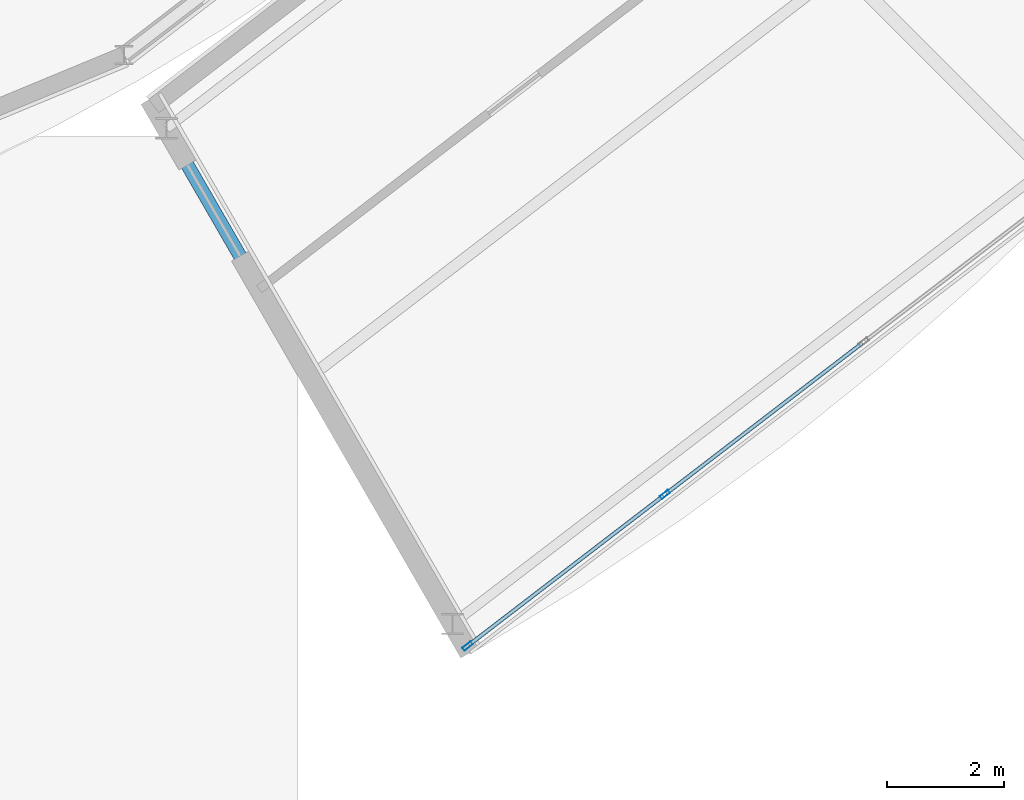
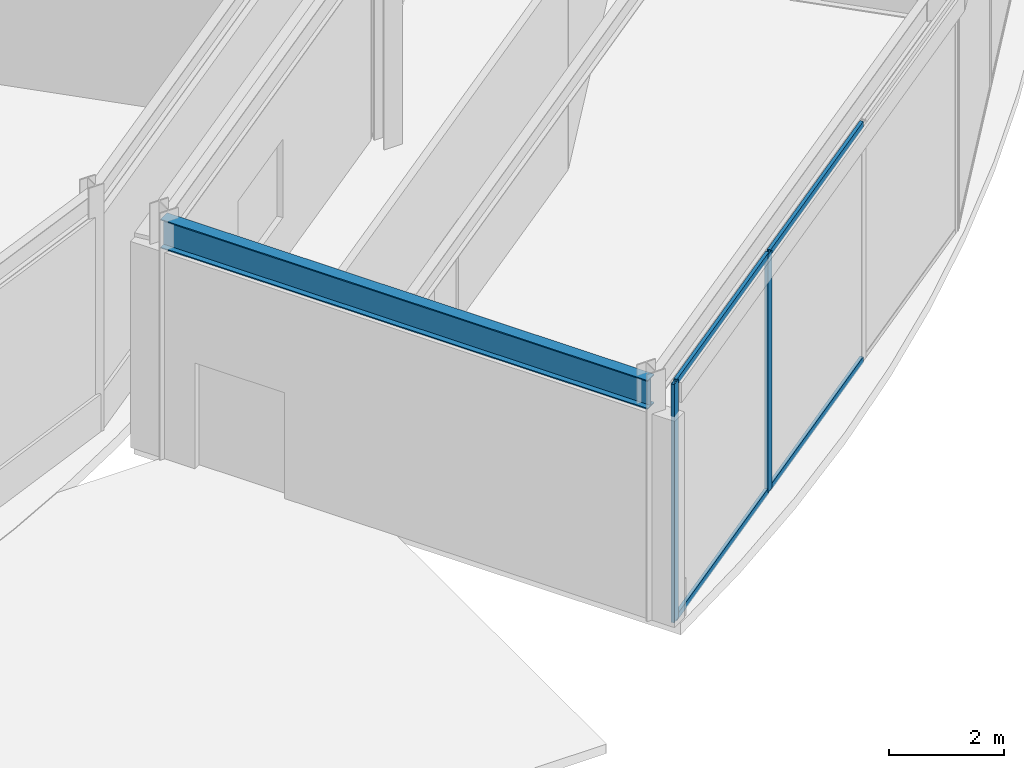
# One storey, part 45 of 168: 6 members, 1 beam, 1 element without a shape of its own.
"""IFC4 building model written with IfcOpenShell, lengths in metres."""

from ifc_helpers import new_model, si_unit, direction, frame, origin, origin_2d, place, context, subcontext, project, spatial, hollow_rectangle, i_section, extrude, material, material_profile, profile_set, type_object, element, aggregate, save


model = new_model("IFC4")

# Units and contexts
model_context = context("Model", 3, precision=1e-05, world=origin(), true_north=direction((0.0, 1.0)))
body_context = subcontext(model_context, "Body", "Model", "MODEL_VIEW")
ifc_project = project(units=[si_unit("LENGTHUNIT", "METRE"), si_unit("AREAUNIT", "SQUARE_METRE"), si_unit("VOLUMEUNIT", "CUBIC_METRE"), si_unit("PLANEANGLEUNIT", "RADIAN"), si_unit("MASSUNIT", "GRAM", prefix="KILO")], contexts=[model_context])

# Site, building, storey
site_placement = place(None, origin())
site = spatial("IfcSite", under=ifc_project, at=site_placement, CompositionType="ELEMENT")
building_placement = place(site_placement, origin())
building = spatial("IfcBuilding", under=site, at=building_placement, Name="Almandine Court Research Institute", CompositionType="ELEMENT")
storey_placement = place(building_placement, origin())
storey = spatial("IfcBuildingStorey", under=building, at=storey_placement, Name="L00", CompositionType="ELEMENT", Elevation=0.0)

# Beam
ifc_material_1 = material(Name="Steel ASTM A992 Grade 50", Category="steel")
ifc_material_profile_1 = material_profile(ifc_material_1, i_section(OverallWidth=0.22998046875, OverallDepth=0.616943359375, WebThickness=0.012939453125, FlangeThickness=0.02197265625, at=origin_2d()), Name="W610x140")
ifc_profile_set_1 = profile_set([ifc_material_profile_1], Name="Steel ASTM A992 Grade 50")
beam_type = type_object("IfcBeamType", Name="Beam-G-02", PredefinedType="BEAM", material=ifc_profile_set_1)
beam_placement = place(storey_placement, frame((106.550048828125, 22.137939453125, 4.715087890625), z_axis=(0.49999201416, -0.866030014362, 0.0), x_axis=(0.866030014362, 0.49999201416, 0.0)))
element("IfcBeam", 1, at=beam_placement, inside=storey, type_object=beam_type, Name="L00 Drum Radial Girder 20", PredefinedType="BEAM", context=body_context, shape_type="SweptSolid", body=[
    extrude(i_section(OverallWidth=0.22998046875, OverallDepth=0.616943359375, WebThickness=0.012939453125, FlangeThickness=0.02197265625, at=origin_2d()), origin(), (0.0, 0.0, 1.0), 9.800048828125),
])

# Curtain wall, members
ifc_material_2 = material(Name="Unitised Curtain Wall Framing and Solar Glazing", Category="glass")
curtain_wall_type = type_object("IfcCurtainWallType", Name="CW-CWJ-17", PredefinedType="USERDEFINED", material=ifc_material_2)
curtain_wall_placement = place(storey_placement, origin())
curtain_wall = element("IfcCurtainWall", 2, at=curtain_wall_placement, inside=storey, type_object=curtain_wall_type, Name="L00 Stacked-Ring Drum Outer Solar Jali Screen 20", ObjectType="SOLAR JALI SCREEN", PredefinedType="USERDEFINED")
ifc_material_3 = material(Name="Anodised Aluminium AW-6063-T6", Category="aluminium")
ifc_material_profile_2 = material_profile(ifc_material_3, hollow_rectangle(XDim=0.06494140625, YDim=0.179931640625, WallThickness=0.00390625, at=origin_2d()), Name="ALU RHS 65x180x4")
ifc_profile_set_2 = profile_set([ifc_material_profile_2], Name="Anodised Aluminium AW-6063-T6")
member_type_1 = type_object("IfcMemberType", Name="CWMul-65x180", PredefinedType="MULLION", material=ifc_profile_set_2)
member_1_placement = place(storey_placement, frame((115.088623046875, 15.867919921875, 0.0), z_axis=(0.0, 0.0, 1.0), x_axis=(0.608723313303, -0.793382586046, 0.0)))
member_1 = element("IfcMember", 3, at=member_1_placement, type_object=member_type_1, Name="CWJ-17 mullion 3", PredefinedType="MULLION", context=body_context, shape_type="SweptSolid", body=[
    extrude(hollow_rectangle(XDim=0.06494140625, YDim=0.179931640625, WallThickness=0.00390625, at=origin_2d()), origin(), (0.0, 0.0, 1.0), 5.070068359375),
])
member_2_placement = place(storey_placement, frame((111.708740234375, 13.27490234375, 0.0), z_axis=(0.0, 0.0, 1.0), x_axis=(0.608723313303, -0.793382586046, 0.0)))
member_2 = element("IfcMember", 4, at=member_2_placement, type_object=member_type_1, Name="CWJ-17 mullion 4", PredefinedType="MULLION", context=body_context, shape_type="SweptSolid", body=[
    extrude(hollow_rectangle(XDim=0.06494140625, YDim=0.179931640625, WallThickness=0.00390625, at=origin_2d()), origin(), (0.0, 0.0, 1.0), 5.070068359375),
])
ifc_material_profile_3 = material_profile(ifc_material_3, hollow_rectangle(XDim=0.06494140625, YDim=0.1298828125, WallThickness=0.00390625, at=origin_2d()), Name="ALU RHS 65x130x4")
ifc_profile_set_3 = profile_set([ifc_material_profile_3], Name="Anodised Aluminium AW-6063-T6")
member_type_2 = type_object("IfcMemberType", Name="CWTrn-65x130", PredefinedType="NOTDEFINED", material=ifc_profile_set_3)
member_3_placement = place(storey_placement, frame((118.468505859375, 18.461181640625, 0.032470703125), z_axis=(-0.793368349931, -0.608741867566, 0.0), x_axis=(0.608741867566, -0.793368349931, 0.0)))
member_3 = element("IfcMember", 5, at=member_3_placement, type_object=member_type_2, Name="CWJ-17 transom 2.1", ObjectType="TRANSOM", PredefinedType="USERDEFINED", context=body_context, shape_type="SweptSolid", body=[
    extrude(hollow_rectangle(XDim=0.06494140625, YDim=0.1298828125, WallThickness=0.00390625, at=origin_2d()), origin(), (0.0, 0.0, 1.0), 4.2275390625),
])
member_4_placement = place(storey_placement, frame((118.468505859375, 18.461181640625, 5.03759765625), z_axis=(-0.793368349931, -0.608741867566, 0.0), x_axis=(0.608741867566, -0.793368349931, 0.0)))
member_4 = element("IfcMember", 6, at=member_4_placement, type_object=member_type_2, Name="CWJ-17 transom 2.2", ObjectType="TRANSOM", PredefinedType="USERDEFINED", context=body_context, shape_type="SweptSolid", body=[
    extrude(hollow_rectangle(XDim=0.06494140625, YDim=0.1298828125, WallThickness=0.00390625, at=origin_2d()), origin(), (0.0, 0.0, 1.0), 4.2275390625),
])
member_5_placement = place(storey_placement, frame((115.06298828125, 15.84814453125, 0.032470703125), z_axis=(-0.793408675449, -0.608689308041, 0.0), x_axis=(0.608689308041, -0.793408675449, 0.0)))
member_5 = element("IfcMember", 7, at=member_5_placement, type_object=member_type_2, Name="CWJ-17 transom 3.1", ObjectType="TRANSOM", PredefinedType="USERDEFINED", context=body_context, shape_type="SweptSolid", body=[
    extrude(hollow_rectangle(XDim=0.06494140625, YDim=0.1298828125, WallThickness=0.00390625, at=origin_2d()), origin(), (0.0, 0.0, 1.0), 4.195068359375),
])
member_6_placement = place(storey_placement, frame((115.06298828125, 15.84814453125, 5.03759765625), z_axis=(-0.793408675449, -0.608689308041, 0.0), x_axis=(0.608689308041, -0.793408675449, 0.0)))
member_6 = element("IfcMember", 8, at=member_6_placement, type_object=member_type_2, Name="CWJ-17 transom 3.2", ObjectType="TRANSOM", PredefinedType="USERDEFINED", context=body_context, shape_type="SweptSolid", body=[
    extrude(hollow_rectangle(XDim=0.06494140625, YDim=0.1298828125, WallThickness=0.00390625, at=origin_2d()), origin(), (0.0, 0.0, 1.0), 4.195068359375),
])
aggregate(curtain_wall, [member_1, member_2, member_3, member_4, member_5, member_6])

save(model, "model.ifc")
